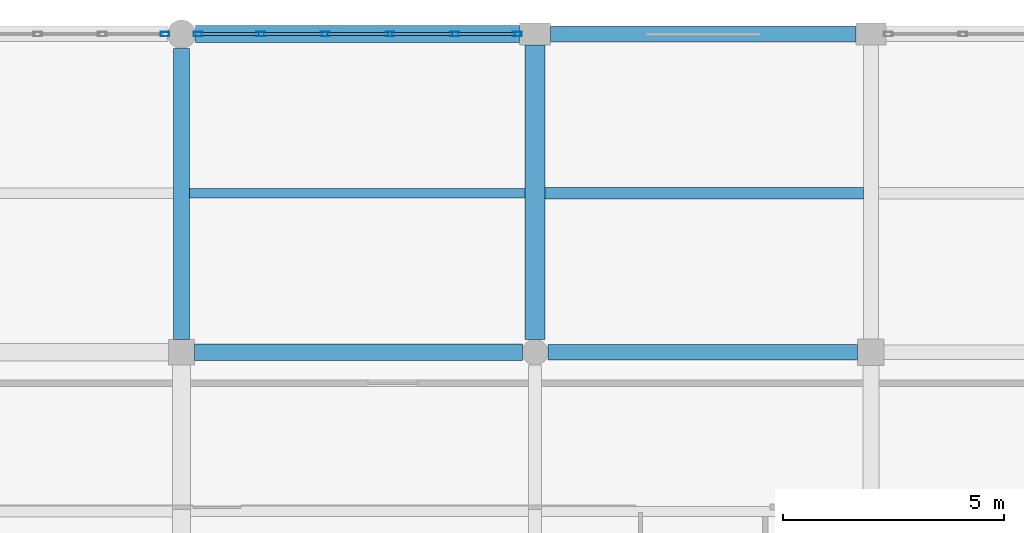
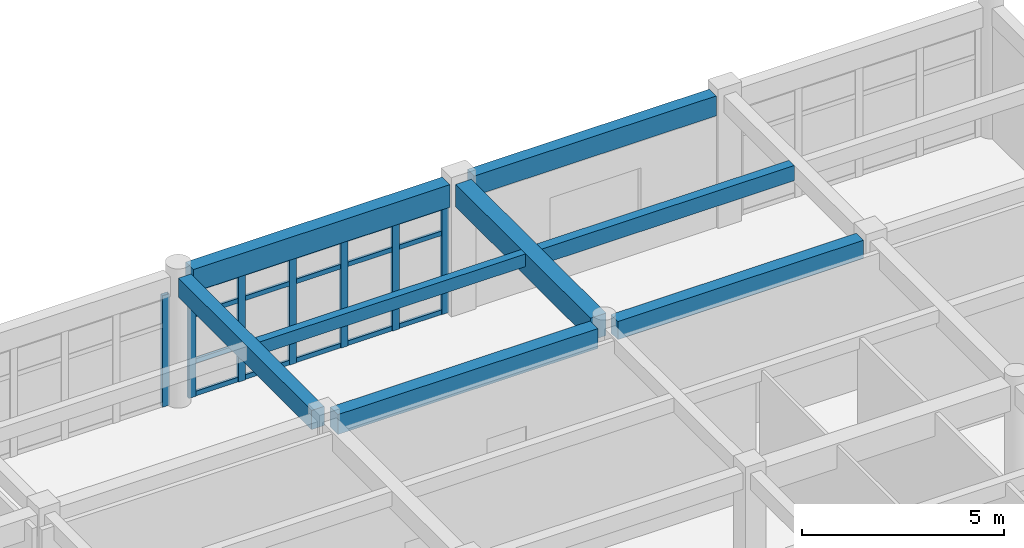
# One storey, part 88 of 121: 27 members, 8 beams, 2 elements without a shape of their own.
"""IFC4 building model written with IfcOpenShell, lengths in metres."""

import ifcopenshell
import ifcopenshell.guid

model = None  # the IFC model being written
_history = None  # IfcOwnerHistory: only IFC2X3 demands one
_inside = {}  # id of a spatial element -> (the spatial element, [elements in it])
_under = {}  # id of a project, library or spatial element -> (it, [spatial elements below it])
_declared = {}  # id of a project -> (the project, [libraries it declares])
_typed = {}  # id of a type object -> (the type object, [elements of that type])
_made_of = {}  # id of a material, layer set ... -> (it, [elements and type objects made of it])


def new_model(schema):
    """Start an empty IFC model of exactly this schema.

    Asked for "IFC4X3", IfcOpenShell would pick the latest addendum, in which some entities
    have other attributes; the version numbers below select the first issue.
    IFC2X3 requires an IfcOwnerHistory on every rooted entity: one is made here for all.
    """
    global model, _history
    if schema == "IFC4X3":
        model = ifcopenshell.file(schema_version=(4, 3, 0, 0))
    else:
        model = ifcopenshell.file(schema=schema)
    _inside.clear()
    _under.clear()
    _declared.clear()
    _typed.clear()
    _made_of.clear()
    _history = None
    if model.schema == "IFC2X3":
        org = make("IfcOrganization", Name="unknown")
        user = make(
            "IfcPersonAndOrganization",
            ThePerson=make("IfcPerson", FamilyName="unknown"),
            TheOrganization=org,
        )
        app = make(
            "IfcApplication",
            ApplicationDeveloper=org,
            Version="unknown",
            ApplicationFullName="unknown",
            ApplicationIdentifier="unknown",
        )
        _history = make(
            "IfcOwnerHistory",
            OwningUser=user,
            OwningApplication=app,
            ChangeAction="ADDED",
            CreationDate=0,
        )
    return model


def make(cls, **values):
    """One entity of the class cls with the attributes given. An attribute that is None is left unset."""
    return model.create_entity(
        cls, **{name: value for name, value in values.items() if value is not None}
    )


def rooted(cls, **values):
    """An entity with a GlobalId (a new one), such as an element, a storey or a relation."""
    return make(cls, GlobalId=ifcopenshell.guid.new(), OwnerHistory=_history, **values)


def si_unit(unit_type, name, prefix=None):
    """IfcSIUnit, for example si_unit("LENGTHUNIT", "METRE", prefix="MILLI")."""
    return make("IfcSIUnit", UnitType=unit_type, Prefix=prefix, Name=name)


def assignment(units):
    """IfcUnitAssignment: the units of a project."""
    return None if units is None else make("IfcUnitAssignment", Units=units)


def point(xyz):
    """IfcCartesianPoint."""
    return None if xyz is None else make("IfcCartesianPoint", Coordinates=xyz)


def direction(xyz):
    """IfcDirection."""
    return None if xyz is None else make("IfcDirection", DirectionRatios=xyz)


def frame(location, z_axis=None, x_axis=None):
    """IfcAxis2Placement3D, a coordinate frame: its origin and axes. An axis left out is left unset."""
    return make(
        "IfcAxis2Placement3D",
        Location=point(location),
        Axis=direction(z_axis),
        RefDirection=direction(x_axis),
    )


def frame_2d(location, x_axis=None):
    """IfcAxis2Placement2D, a coordinate frame in the plane: its origin and x axis."""
    return make(
        "IfcAxis2Placement2D", Location=point(location), RefDirection=direction(x_axis)
    )


def origin():
    """The frame at (0, 0, 0) with its axes left unset."""
    return frame((0.0, 0.0, 0.0))


def origin_2d():
    """The frame at (0, 0) in the plane with its x axis left unset."""
    return frame_2d((0.0, 0.0))


def place(relative_to, where):
    """IfcLocalPlacement: puts the frame where relative to a parent placement (None: the world)."""
    return make(
        "IfcLocalPlacement", PlacementRelTo=relative_to, RelativePlacement=where
    )


def context(
    kind, dimensions, precision=None, world=None, true_north=None, identifier=None
):
    """IfcGeometricRepresentationContext, for example the 3D "Model" context."""
    return make(
        "IfcGeometricRepresentationContext",
        ContextIdentifier=identifier,
        ContextType=kind,
        CoordinateSpaceDimension=dimensions,
        Precision=precision,
        WorldCoordinateSystem=world,
        TrueNorth=true_north,
    )


def subcontext(parent, identifier, kind, view, scale=None):
    """IfcGeometricRepresentationSubContext, for example "Body" below "Model"."""
    return make(
        "IfcGeometricRepresentationSubContext",
        ContextIdentifier=identifier,
        ContextType=kind,
        ParentContext=parent,
        TargetScale=scale,
        TargetView=view,
    )


def project(units=None, contexts=None):
    """IfcProject with its units and contexts."""
    return rooted(
        "IfcProject",
        Name="project",
        RepresentationContexts=contexts,
        UnitsInContext=assignment(units),
    )


def spatial(cls, under=None, at=None, **own):
    """A site, building, storey or space (cls), placed at a placement, below another one or the project."""
    s = rooted(cls, ObjectPlacement=at, **own)
    if under is not None:
        _under.setdefault(under.id(), (under, []))[1].append(s)
    return s


def profile(cls, at=None, kind="AREA", **sizes):
    """A parametric profile (cls). Its sizes go by their IFC names, for example OverallWidth=200.0."""
    return make(cls, ProfileType=kind, Position=at, **sizes)


def rectangle(**sizes):
    """IfcRectangleProfileDef."""
    return profile("IfcRectangleProfileDef", **sizes)


def hollow_rectangle(**sizes):
    """IfcRectangleHollowProfileDef."""
    return profile("IfcRectangleHollowProfileDef", **sizes)


def extrude(swept, where, along, depth):
    """IfcExtrudedAreaSolid: the profile swept, set in the frame where, extruded along a direction by depth."""
    return make(
        "IfcExtrudedAreaSolid",
        SweptArea=swept,
        Position=where,
        ExtrudedDirection=direction(along),
        Depth=depth,
    )


def shape(context_of_items, identifier, shape_type, items):
    """IfcShapeRepresentation: the items that make up one representation, for example the "Body"."""
    return make(
        "IfcShapeRepresentation",
        ContextOfItems=context_of_items,
        RepresentationIdentifier=identifier,
        RepresentationType=shape_type,
        Items=items,
    )


def material(Name=None, Category=None):
    """IfcMaterial."""
    return make("IfcMaterial", Name=Name, Category=Category)


def material_profile(
    of_material, cross_section, Name=None, Category=None, Priority=None
):
    """IfcMaterialProfile: a cross section and its material."""
    return make(
        "IfcMaterialProfile",
        Name=Name,
        Material=of_material,
        Profile=cross_section,
        Priority=Priority,
        Category=Category,
    )


def profile_set(profiles, Name=None, composite=None):
    """IfcMaterialProfileSet."""
    return make(
        "IfcMaterialProfileSet",
        Name=Name,
        MaterialProfiles=profiles,
        CompositeProfile=composite,
    )


def made_of(thing, what):
    """Note that an element or type object is made of a material, layer set ...; save() writes the relation."""
    if what is not None:
        _made_of.setdefault(what.id(), (what, []))[1].append(thing)
    return thing


def type_object(cls, material=None, **own):
    """A type object (cls), such as IfcWallType, which elements share."""
    return made_of(rooted(cls, **own), material)


def element(
    cls,
    number,
    at=None,
    inside=None,
    cuts=None,
    type_object=None,
    material=None,
    context=None,
    identifier="Body",
    shape_type=None,
    held_by="IfcProductDefinitionShape",
    body=None,
    shapes=None,
    **own,
):
    """One element of the class cls, such as IfcWall. Its Tag is "e" and its number.

    at: its placement. inside: the storey or other place that contains it. cuts: it is an
    opening in that element (IfcRelVoidsElement). A single representation is given by context,
    identifier, shape_type and body (its items); several are given by shapes. held_by: the class
    of the entity that holds the representations. save() writes the other relations.
    """
    e = rooted(cls, Tag="e%d" % number, ObjectPlacement=at, **own)
    if body is not None:
        shapes = [shape(context, identifier, shape_type, body)]
    if shapes is not None:
        e.Representation = make(held_by, Representations=shapes)
    if inside is not None:
        _inside.setdefault(inside.id(), (inside, []))[1].append(e)
    if cuts is not None:
        rooted(
            "IfcRelVoidsElement", RelatingBuildingElement=cuts, RelatedOpeningElement=e
        )
    if type_object is not None:
        _typed.setdefault(type_object.id(), (type_object, []))[1].append(e)
    return made_of(e, material)


def aggregate(whole, parts):
    """IfcRelAggregates: a whole, such as a stair, and the parts it consists of."""
    return rooted("IfcRelAggregates", RelatingObject=whole, RelatedObjects=parts)


def save(model, path):
    """Write the relations noted so far, then the file.

    IfcRelAggregates (storeys below a building ...), IfcRelContainedInSpatialStructure (elements
    in a storey), IfcRelDefinesByType, IfcRelAssociatesMaterial and IfcRelDeclares: one each for
    every whole, place, type object, material and project.
    """
    for whole, parts in _under.values():
        aggregate(whole, parts)
    for where, things in _inside.values():
        rooted(
            "IfcRelContainedInSpatialStructure",
            RelatedElements=things,
            RelatingStructure=where,
        )
    for kind, things in _typed.values():
        rooted("IfcRelDefinesByType", RelatedObjects=things, RelatingType=kind)
    for what, things in _made_of.values():
        rooted("IfcRelAssociatesMaterial", RelatedObjects=things, RelatingMaterial=what)
    for by, libraries in _declared.values():
        rooted("IfcRelDeclares", RelatingContext=by, RelatedDefinitions=libraries)
    model.write(path)


model = new_model("IFC4")

# Units and contexts
model_context = context("Model", 3, precision=1e-05, world=origin(), true_north=direction((0.0, 1.0)))
body_context = subcontext(model_context, "Body", "Model", "MODEL_VIEW")
ifc_project = project(units=[si_unit("LENGTHUNIT", "METRE"), si_unit("AREAUNIT", "SQUARE_METRE"), si_unit("VOLUMEUNIT", "CUBIC_METRE"), si_unit("PLANEANGLEUNIT", "RADIAN"), si_unit("MASSUNIT", "GRAM", prefix="KILO")], contexts=[model_context])

# Site, building, storey
site_placement = place(None, origin())
site = spatial("IfcSite", under=ifc_project, at=site_placement, CompositionType="ELEMENT")
building_placement = place(site_placement, origin())
building = spatial("IfcBuilding", under=site, at=building_placement, Name="Kharva Crest Polytechnic", CompositionType="ELEMENT")
storey_placement = place(building_placement, frame((0.0, 0.0, 13.199951171875)))
storey = spatial("IfcBuildingStorey", under=building, at=storey_placement, Name="L03", CompositionType="ELEMENT", Elevation=13.199951171875)

# Beams
ifc_material_1 = material(Name="Concrete C35/45", Category="concrete")
ifc_material_profile_1 = material_profile(ifc_material_1, rectangle(XDim=0.35009765625, YDim=0.550048828125, at=origin_2d()), Name="RECT 350 X 550")
ifc_profile_set_1 = profile_set([ifc_material_profile_1], Name="Concrete C35/45")
beam_type_1 = type_object("IfcBeamType", Name="BM-RC-350X550", PredefinedType="BEAM", material=ifc_profile_set_1)
beam_1_placement = place(storey_placement, frame((169.090087890625, 114.800048828125, 3.68505859375), z_axis=(1.0, 0.0, 0.0), x_axis=(0.0, 1.0, 0.0)))
element("IfcBeam", 1, at=beam_1_placement, inside=storey, type_object=beam_type_1, Name="L03 Beam R/22-23", PredefinedType="BEAM", context=body_context, shape_type="SweptSolid", body=[
    extrude(rectangle(XDim=0.35009765625, YDim=0.550048828125, at=origin_2d()), origin(), (0.0, 0.0, 1.0), 7.010009765625),
])
ifc_material_profile_2 = material_profile(ifc_material_1, rectangle(XDim=0.360107421875, YDim=0.580078125, at=origin_2d()), Name="RECT 360 X 580")
ifc_profile_set_2 = profile_set([ifc_material_profile_2], Name="Concrete C35/45")
beam_type_2 = type_object("IfcBeamType", Name="BM-RC-360X580", PredefinedType="BEAM", material=ifc_profile_set_2)
beam_2_placement = place(storey_placement, frame((160.800048828125, 115.090087890625, 3.670166015625), z_axis=(0.0, 1.0, 0.0), x_axis=(-1.0, 0.0, 0.0)))
element("IfcBeam", 2, at=beam_2_placement, inside=storey, type_object=beam_type_2, Name="L03 Girder 21/R-S", PredefinedType="BEAM", context=body_context, shape_type="SweptSolid", body=[
    extrude(rectangle(XDim=0.360107421875, YDim=0.580078125, at=origin_2d()), origin(), (0.0, 0.0, 1.0), 6.58984375),
])
ifc_material_profile_3 = material_profile(ifc_material_1, rectangle(XDim=0.3798828125, YDim=0.60009765625, at=origin_2d()), Name="RECT 380 X 600")
ifc_profile_set_3 = profile_set([ifc_material_profile_3], Name="Concrete C35/45")
beam_type_3 = type_object("IfcBeamType", Name="BM-RC-380X600", PredefinedType="BEAM", material=ifc_profile_set_3)
beam_3_placement = place(storey_placement, frame((161.090087890625, 114.800048828125, 3.66015625), z_axis=(1.0, 0.0, 0.0), x_axis=(0.0, 1.0, 0.0)))
element("IfcBeam", 3, at=beam_3_placement, inside=storey, type_object=beam_type_3, Name="L03 Beam R/21-22", PredefinedType="BEAM", context=body_context, shape_type="SweptSolid", body=[
    extrude(rectangle(XDim=0.3798828125, YDim=0.60009765625, at=origin_2d()), origin(), (0.0, 0.0, 1.0), 7.419921875),
])
ifc_material_profile_4 = material_profile(ifc_material_1, rectangle(XDim=0.449951171875, YDim=0.679931640625, at=origin_2d()), Name="RECT 450 X 680")
ifc_profile_set_4 = profile_set([ifc_material_profile_4], Name="Concrete C35/45")
beam_type_4 = type_object("IfcBeamType", Name="BM-RC-450X680", PredefinedType="BEAM", material=ifc_profile_set_4)
beam_4_placement = place(storey_placement, frame((168.800048828125, 115.090087890625, 3.6201171875), z_axis=(0.0, 1.0, 0.0), x_axis=(-1.0, 0.0, 0.0)))
element("IfcBeam", 4, at=beam_4_placement, inside=storey, type_object=beam_type_4, Name="L03 Girder 22/R-S", PredefinedType="BEAM", context=body_context, shape_type="SweptSolid", body=[
    extrude(rectangle(XDim=0.449951171875, YDim=0.679931640625, at=origin_2d()), origin(), (0.0, 0.0, 1.0), 6.659912109375),
])

# Curtain wall, members
ifc_material_2 = material(Name="Tempered insulated glass", Category="glass")
curtain_wall_type = type_object("IfcCurtainWallType", Name="CW-SYS-LIBRARY", PredefinedType="USERDEFINED", material=ifc_material_2)
curtain_wall_1_placement = place(storey_placement, origin())
curtain_wall_1 = element("IfcCurtainWall", 5, at=curtain_wall_1_placement, inside=storey, type_object=curtain_wall_type, Name="L03 Glazed Curtain Wall CW-155", ObjectType="CURTAIN WALL", PredefinedType="USERDEFINED")
ifc_material_3 = material(Name="Steel S355", Category="steel")
ifc_material_profile_5 = material_profile(ifc_material_3, hollow_rectangle(XDim=0.10009765625, YDim=0.199951171875, WallThickness=0.00634765625, at=origin_2d()), Name="RHS 200X100X6.3")
ifc_profile_set_5 = profile_set([ifc_material_profile_5], Name="Steel S355")
member_type_1 = type_object("IfcMemberType", Name="CWM-RHS200X100", PredefinedType="MULLION", material=ifc_profile_set_5)
member_1_placement = place(storey_placement, frame((168.39501953125, 122.0, 0.0), z_axis=(0.0, 0.0, 1.0), x_axis=(0.0, -1.0, 0.0)))
member_1 = element("IfcMember", 6, at=member_1_placement, type_object=member_type_1, Name="CW-155 mullion 1", PredefinedType="MULLION", context=body_context, shape_type="SweptSolid", body=[
    extrude(hollow_rectangle(XDim=0.10009765625, YDim=0.199951171875, WallThickness=0.00634765625, at=origin_2d()), origin(), (0.0, 0.0, 1.0), 3.280029296875),
])
member_2_placement = place(storey_placement, frame((166.98095703125, 122.0, 0.0), z_axis=(0.0, 0.0, 1.0), x_axis=(0.0, -1.0, 0.0)))
member_2 = element("IfcMember", 7, at=member_2_placement, type_object=member_type_1, Name="CW-155 mullion 2", PredefinedType="MULLION", context=body_context, shape_type="SweptSolid", body=[
    extrude(hollow_rectangle(XDim=0.10009765625, YDim=0.199951171875, WallThickness=0.00634765625, at=origin_2d()), origin(), (0.0, 0.0, 1.0), 3.280029296875),
])
member_3_placement = place(storey_placement, frame((165.51708984375, 122.0, 0.0), z_axis=(0.0, 0.0, 1.0), x_axis=(0.0, -1.0, 0.0)))
member_3 = element("IfcMember", 8, at=member_3_placement, type_object=member_type_1, Name="CW-155 mullion 3", PredefinedType="MULLION", context=body_context, shape_type="SweptSolid", body=[
    extrude(hollow_rectangle(XDim=0.10009765625, YDim=0.199951171875, WallThickness=0.00634765625, at=origin_2d()), origin(), (0.0, 0.0, 1.0), 3.280029296875),
])
member_4_placement = place(storey_placement, frame((164.052978515625, 122.0, 0.0), z_axis=(0.0, 0.0, 1.0), x_axis=(0.0, -1.0, 0.0)))
member_4 = element("IfcMember", 9, at=member_4_placement, type_object=member_type_1, Name="CW-155 mullion 4", PredefinedType="MULLION", context=body_context, shape_type="SweptSolid", body=[
    extrude(hollow_rectangle(XDim=0.10009765625, YDim=0.199951171875, WallThickness=0.00634765625, at=origin_2d()), origin(), (0.0, 0.0, 1.0), 3.280029296875),
])
member_5_placement = place(storey_placement, frame((162.589111328125, 122.0, 0.0), z_axis=(0.0, 0.0, 1.0), x_axis=(0.0, -1.0, 0.0)))
member_5 = element("IfcMember", 10, at=member_5_placement, type_object=member_type_1, Name="CW-155 mullion 5", PredefinedType="MULLION", context=body_context, shape_type="SweptSolid", body=[
    extrude(hollow_rectangle(XDim=0.10009765625, YDim=0.199951171875, WallThickness=0.00634765625, at=origin_2d()), origin(), (0.0, 0.0, 1.0), 3.280029296875),
])
member_6_placement = place(storey_placement, frame((161.175048828125, 122.0, 0.0), z_axis=(0.0, 0.0, 1.0), x_axis=(0.0, -1.0, 0.0)))
member_6 = element("IfcMember", 11, at=member_6_placement, type_object=member_type_1, Name="CW-155 mullion 6", PredefinedType="MULLION", context=body_context, shape_type="SweptSolid", body=[
    extrude(hollow_rectangle(XDim=0.10009765625, YDim=0.199951171875, WallThickness=0.00634765625, at=origin_2d()), origin(), (0.0, 0.0, 1.0), 3.280029296875),
])

# Curtain wall, member
curtain_wall_2_placement = place(storey_placement, origin())
curtain_wall_2 = element("IfcCurtainWall", 12, at=curtain_wall_2_placement, inside=storey, type_object=curtain_wall_type, Name="L03 Glazed Curtain Wall CW-156", ObjectType="CURTAIN WALL", PredefinedType="USERDEFINED")
member_7_placement = place(storey_placement, frame((160.425048828125, 122.0, 0.0), z_axis=(0.0, 0.0, 1.0), x_axis=(0.0, -1.0, 0.0)))
member_7 = element("IfcMember", 13, at=member_7_placement, type_object=member_type_1, Name="CW-156 mullion 1", PredefinedType="MULLION", context=body_context, shape_type="SweptSolid", body=[
    extrude(hollow_rectangle(XDim=0.10009765625, YDim=0.199951171875, WallThickness=0.00634765625, at=origin_2d()), origin(), (0.0, 0.0, 1.0), 3.360107421875),
])
aggregate(curtain_wall_2, [member_7])

# Member
ifc_material_profile_6 = material_profile(ifc_material_3, hollow_rectangle(XDim=0.070068359375, YDim=0.139892578125, WallThickness=0.00390625, at=origin_2d()), Name="RHS 140X70X4.0")
ifc_profile_set_6 = profile_set([ifc_material_profile_6], Name="Steel S355")
member_type_2 = type_object("IfcMemberType", Name="CWT-RHS140X70", PredefinedType="USERDEFINED", material=ifc_profile_set_6)
member_8_placement = place(storey_placement, frame((168.344970703125, 122.0, 0.070068359375), z_axis=(-1.0, 0.0, 0.0), x_axis=(0.0, -1.0, 0.0)))
member_8 = element("IfcMember", 14, at=member_8_placement, type_object=member_type_2, Name="CW-155 transom 1.1", ObjectType="TRANSOM", PredefinedType="USERDEFINED", context=body_context, shape_type="SweptSolid", body=[
    extrude(hollow_rectangle(XDim=0.070068359375, YDim=0.139892578125, WallThickness=0.00390625, at=origin_2d()), origin(), (0.0, 0.0, 1.0), 1.31396484375),
])

member_9_placement = place(storey_placement, frame((168.344970703125, 122.0, 1.050048828125), z_axis=(-1.0, 0.0, 0.0), x_axis=(0.0, -1.0, 0.0)))
member_9 = element("IfcMember", 15, at=member_9_placement, type_object=member_type_2, Name="CW-155 transom 1.2", ObjectType="TRANSOM", PredefinedType="USERDEFINED", context=body_context, shape_type="SweptSolid", body=[
    extrude(hollow_rectangle(XDim=0.070068359375, YDim=0.139892578125, WallThickness=0.00390625, at=origin_2d()), origin(), (0.0, 0.0, 1.0), 1.31396484375),
])

member_10_placement = place(storey_placement, frame((168.344970703125, 122.0, 2.449951171875), z_axis=(-1.0, 0.0, 0.0), x_axis=(0.0, -1.0, 0.0)))
member_10 = element("IfcMember", 16, at=member_10_placement, type_object=member_type_2, Name="CW-155 transom 1.3", ObjectType="TRANSOM", PredefinedType="USERDEFINED", context=body_context, shape_type="SweptSolid", body=[
    extrude(hollow_rectangle(XDim=0.070068359375, YDim=0.139892578125, WallThickness=0.00390625, at=origin_2d()), origin(), (0.0, 0.0, 1.0), 1.31396484375),
])

member_11_placement = place(storey_placement, frame((168.344970703125, 122.0, 3.2099609375), z_axis=(-1.0, 0.0, 0.0), x_axis=(0.0, -1.0, 0.0)))
member_11 = element("IfcMember", 17, at=member_11_placement, type_object=member_type_2, Name="CW-155 transom 1.4", ObjectType="TRANSOM", PredefinedType="USERDEFINED", context=body_context, shape_type="SweptSolid", body=[
    extrude(hollow_rectangle(XDim=0.070068359375, YDim=0.139892578125, WallThickness=0.00390625, at=origin_2d()), origin(), (0.0, 0.0, 1.0), 1.31396484375),
])

member_12_placement = place(storey_placement, frame((166.930908203125, 122.0, 0.070068359375), z_axis=(-1.0, 0.0, 0.0), x_axis=(0.0, -1.0, 0.0)))
member_12 = element("IfcMember", 18, at=member_12_placement, type_object=member_type_2, Name="CW-155 transom 2.1", ObjectType="TRANSOM", PredefinedType="USERDEFINED", context=body_context, shape_type="SweptSolid", body=[
    extrude(hollow_rectangle(XDim=0.070068359375, YDim=0.139892578125, WallThickness=0.00390625, at=origin_2d()), origin(), (0.0, 0.0, 1.0), 1.364013671875),
])

member_13_placement = place(storey_placement, frame((166.930908203125, 122.0, 1.050048828125), z_axis=(-1.0, 0.0, 0.0), x_axis=(0.0, -1.0, 0.0)))
member_13 = element("IfcMember", 19, at=member_13_placement, type_object=member_type_2, Name="CW-155 transom 2.2", ObjectType="TRANSOM", PredefinedType="USERDEFINED", context=body_context, shape_type="SweptSolid", body=[
    extrude(hollow_rectangle(XDim=0.070068359375, YDim=0.139892578125, WallThickness=0.00390625, at=origin_2d()), origin(), (0.0, 0.0, 1.0), 1.364013671875),
])

member_14_placement = place(storey_placement, frame((166.930908203125, 122.0, 2.449951171875), z_axis=(-1.0, 0.0, 0.0), x_axis=(0.0, -1.0, 0.0)))
member_14 = element("IfcMember", 20, at=member_14_placement, type_object=member_type_2, Name="CW-155 transom 2.3", ObjectType="TRANSOM", PredefinedType="USERDEFINED", context=body_context, shape_type="SweptSolid", body=[
    extrude(hollow_rectangle(XDim=0.070068359375, YDim=0.139892578125, WallThickness=0.00390625, at=origin_2d()), origin(), (0.0, 0.0, 1.0), 1.364013671875),
])

member_15_placement = place(storey_placement, frame((166.930908203125, 122.0, 3.2099609375), z_axis=(-1.0, 0.0, 0.0), x_axis=(0.0, -1.0, 0.0)))
member_15 = element("IfcMember", 21, at=member_15_placement, type_object=member_type_2, Name="CW-155 transom 2.4", ObjectType="TRANSOM", PredefinedType="USERDEFINED", context=body_context, shape_type="SweptSolid", body=[
    extrude(hollow_rectangle(XDim=0.070068359375, YDim=0.139892578125, WallThickness=0.00390625, at=origin_2d()), origin(), (0.0, 0.0, 1.0), 1.364013671875),
])

member_16_placement = place(storey_placement, frame((165.467041015625, 122.0, 0.070068359375), z_axis=(-1.0, 0.0, 0.0), x_axis=(0.0, -1.0, 0.0)))
member_16 = element("IfcMember", 22, at=member_16_placement, type_object=member_type_2, Name="CW-155 transom 3.1", ObjectType="TRANSOM", PredefinedType="USERDEFINED", context=body_context, shape_type="SweptSolid", body=[
    extrude(hollow_rectangle(XDim=0.070068359375, YDim=0.139892578125, WallThickness=0.00390625, at=origin_2d()), origin(), (0.0, 0.0, 1.0), 1.364013671875),
])

member_17_placement = place(storey_placement, frame((165.467041015625, 122.0, 1.050048828125), z_axis=(-1.0, 0.0, 0.0), x_axis=(0.0, -1.0, 0.0)))
member_17 = element("IfcMember", 23, at=member_17_placement, type_object=member_type_2, Name="CW-155 transom 3.2", ObjectType="TRANSOM", PredefinedType="USERDEFINED", context=body_context, shape_type="SweptSolid", body=[
    extrude(hollow_rectangle(XDim=0.070068359375, YDim=0.139892578125, WallThickness=0.00390625, at=origin_2d()), origin(), (0.0, 0.0, 1.0), 1.364013671875),
])

member_18_placement = place(storey_placement, frame((165.467041015625, 122.0, 2.449951171875), z_axis=(-1.0, 0.0, 0.0), x_axis=(0.0, -1.0, 0.0)))
member_18 = element("IfcMember", 24, at=member_18_placement, type_object=member_type_2, Name="CW-155 transom 3.3", ObjectType="TRANSOM", PredefinedType="USERDEFINED", context=body_context, shape_type="SweptSolid", body=[
    extrude(hollow_rectangle(XDim=0.070068359375, YDim=0.139892578125, WallThickness=0.00390625, at=origin_2d()), origin(), (0.0, 0.0, 1.0), 1.364013671875),
])

member_19_placement = place(storey_placement, frame((165.467041015625, 122.0, 3.2099609375), z_axis=(-1.0, 0.0, 0.0), x_axis=(0.0, -1.0, 0.0)))
member_19 = element("IfcMember", 25, at=member_19_placement, type_object=member_type_2, Name="CW-155 transom 3.4", ObjectType="TRANSOM", PredefinedType="USERDEFINED", context=body_context, shape_type="SweptSolid", body=[
    extrude(hollow_rectangle(XDim=0.070068359375, YDim=0.139892578125, WallThickness=0.00390625, at=origin_2d()), origin(), (0.0, 0.0, 1.0), 1.364013671875),
])

member_20_placement = place(storey_placement, frame((164.0029296875, 122.0, 0.070068359375), z_axis=(-1.0, 0.0, 0.0), x_axis=(0.0, -1.0, 0.0)))
member_20 = element("IfcMember", 26, at=member_20_placement, type_object=member_type_2, Name="CW-155 transom 4.1", ObjectType="TRANSOM", PredefinedType="USERDEFINED", context=body_context, shape_type="SweptSolid", body=[
    extrude(hollow_rectangle(XDim=0.070068359375, YDim=0.139892578125, WallThickness=0.00390625, at=origin_2d()), origin(), (0.0, 0.0, 1.0), 1.364013671875),
])

member_21_placement = place(storey_placement, frame((164.0029296875, 122.0, 1.050048828125), z_axis=(-1.0, 0.0, 0.0), x_axis=(0.0, -1.0, 0.0)))
member_21 = element("IfcMember", 27, at=member_21_placement, type_object=member_type_2, Name="CW-155 transom 4.2", ObjectType="TRANSOM", PredefinedType="USERDEFINED", context=body_context, shape_type="SweptSolid", body=[
    extrude(hollow_rectangle(XDim=0.070068359375, YDim=0.139892578125, WallThickness=0.00390625, at=origin_2d()), origin(), (0.0, 0.0, 1.0), 1.364013671875),
])

member_22_placement = place(storey_placement, frame((164.0029296875, 122.0, 2.449951171875), z_axis=(-1.0, 0.0, 0.0), x_axis=(0.0, -1.0, 0.0)))
member_22 = element("IfcMember", 28, at=member_22_placement, type_object=member_type_2, Name="CW-155 transom 4.3", ObjectType="TRANSOM", PredefinedType="USERDEFINED", context=body_context, shape_type="SweptSolid", body=[
    extrude(hollow_rectangle(XDim=0.070068359375, YDim=0.139892578125, WallThickness=0.00390625, at=origin_2d()), origin(), (0.0, 0.0, 1.0), 1.364013671875),
])

member_23_placement = place(storey_placement, frame((164.0029296875, 122.0, 3.2099609375), z_axis=(-1.0, 0.0, 0.0), x_axis=(0.0, -1.0, 0.0)))
member_23 = element("IfcMember", 29, at=member_23_placement, type_object=member_type_2, Name="CW-155 transom 4.4", ObjectType="TRANSOM", PredefinedType="USERDEFINED", context=body_context, shape_type="SweptSolid", body=[
    extrude(hollow_rectangle(XDim=0.070068359375, YDim=0.139892578125, WallThickness=0.00390625, at=origin_2d()), origin(), (0.0, 0.0, 1.0), 1.364013671875),
])

member_24_placement = place(storey_placement, frame((162.5390625, 122.0, 0.070068359375), z_axis=(-1.0, 0.0, 0.0), x_axis=(0.0, -1.0, 0.0)))
member_24 = element("IfcMember", 30, at=member_24_placement, type_object=member_type_2, Name="CW-155 transom 5.1", ObjectType="TRANSOM", PredefinedType="USERDEFINED", context=body_context, shape_type="SweptSolid", body=[
    extrude(hollow_rectangle(XDim=0.070068359375, YDim=0.139892578125, WallThickness=0.00390625, at=origin_2d()), origin(), (0.0, 0.0, 1.0), 1.31396484375),
])

member_25_placement = place(storey_placement, frame((162.5390625, 122.0, 1.050048828125), z_axis=(-1.0, 0.0, 0.0), x_axis=(0.0, -1.0, 0.0)))
member_25 = element("IfcMember", 31, at=member_25_placement, type_object=member_type_2, Name="CW-155 transom 5.2", ObjectType="TRANSOM", PredefinedType="USERDEFINED", context=body_context, shape_type="SweptSolid", body=[
    extrude(hollow_rectangle(XDim=0.070068359375, YDim=0.139892578125, WallThickness=0.00390625, at=origin_2d()), origin(), (0.0, 0.0, 1.0), 1.31396484375),
])

member_26_placement = place(storey_placement, frame((162.5390625, 122.0, 2.449951171875), z_axis=(-1.0, 0.0, 0.0), x_axis=(0.0, -1.0, 0.0)))
member_26 = element("IfcMember", 32, at=member_26_placement, type_object=member_type_2, Name="CW-155 transom 5.3", ObjectType="TRANSOM", PredefinedType="USERDEFINED", context=body_context, shape_type="SweptSolid", body=[
    extrude(hollow_rectangle(XDim=0.070068359375, YDim=0.139892578125, WallThickness=0.00390625, at=origin_2d()), origin(), (0.0, 0.0, 1.0), 1.31396484375),
])

member_27_placement = place(storey_placement, frame((162.5390625, 122.0, 3.2099609375), z_axis=(-1.0, 0.0, 0.0), x_axis=(0.0, -1.0, 0.0)))
member_27 = element("IfcMember", 33, at=member_27_placement, type_object=member_type_2, Name="CW-155 transom 5.4", ObjectType="TRANSOM", PredefinedType="USERDEFINED", context=body_context, shape_type="SweptSolid", body=[
    extrude(hollow_rectangle(XDim=0.070068359375, YDim=0.139892578125, WallThickness=0.00390625, at=origin_2d()), origin(), (0.0, 0.0, 1.0), 1.31396484375),
])

aggregate(curtain_wall_1, [member_1, member_2, member_3, member_4, member_5, member_6, member_8, member_9, member_10, member_11, member_12, member_13, member_14, member_15, member_16, member_17, member_18, member_19, member_20, member_21, member_22, member_23, member_24, member_25, member_26, member_27])

# Beams
ifc_material_profile_7 = material_profile(ifc_material_1, rectangle(XDim=0.219970703125, YDim=0.3798828125, at=origin_2d()), Name="RECT 220 X 380")
ifc_profile_set_7 = profile_set([ifc_material_profile_7], Name="Concrete C35/45")
beam_type_5 = type_object("IfcBeamType", Name="JS-RC-220X380", PredefinedType="JOIST", material=ifc_profile_set_7)
beam_5_placement = place(storey_placement, frame((160.97998046875, 118.39990234375, 3.77001953125), z_axis=(1.0, 0.0, 0.0), x_axis=(0.0, 1.0, 0.0)))
element("IfcBeam", 34, at=beam_5_placement, inside=storey, type_object=beam_type_5, Name="L03 Floor Joist 59", PredefinedType="JOIST", context=body_context, shape_type="SweptSolid", body=[
    extrude(rectangle(XDim=0.219970703125, YDim=0.3798828125, at=origin_2d()), origin(), (0.0, 0.0, 1.0), 7.594970703125),
])
ifc_material_profile_8 = material_profile(ifc_material_1, rectangle(XDim=0.260009765625, YDim=0.4599609375, at=origin_2d()), Name="RECT 260 X 460")
ifc_profile_set_8 = profile_set([ifc_material_profile_8], Name="Concrete C35/45")
beam_type_6 = type_object("IfcBeamType", Name="JS-RC-260X460", PredefinedType="JOIST", material=ifc_profile_set_8)
beam_6_placement = place(storey_placement, frame((169.02490234375, 118.39990234375, 3.72998046875), z_axis=(1.0, 0.0, 0.0), x_axis=(0.0, 1.0, 0.0)))
element("IfcBeam", 35, at=beam_6_placement, inside=storey, type_object=beam_type_6, Name="L03 Floor Joist 60", PredefinedType="JOIST", context=body_context, shape_type="SweptSolid", body=[
    extrude(rectangle(XDim=0.260009765625, YDim=0.4599609375, at=origin_2d()), origin(), (0.0, 0.0, 1.0), 7.205078125),
])
ifc_material_profile_9 = material_profile(ifc_material_1, rectangle(XDim=0.340087890625, YDim=0.60009765625, at=origin_2d()), Name="RECT 340 X 600")
ifc_profile_set_9 = profile_set([ifc_material_profile_9], Name="Concrete C35/45")
beam_type_7 = type_object("IfcBeamType", Name="SP-RC-340X600", PredefinedType="SPANDREL", material=ifc_profile_set_9)
beam_7_placement = place(storey_placement, frame((169.14990234375, 122.0, 3.66015625), z_axis=(1.0, 0.0, 0.0), x_axis=(0.0, 1.0, 0.0)))
element("IfcBeam", 36, at=beam_7_placement, inside=storey, type_object=beam_type_7, Name="L03 Beam S/22-23", PredefinedType="SPANDREL", context=body_context, shape_type="SweptSolid", body=[
    extrude(rectangle(XDim=0.340087890625, YDim=0.60009765625, at=origin_2d()), origin(), (0.0, 0.0, 1.0), 6.91015625),
])
ifc_material_profile_10 = material_profile(ifc_material_1, rectangle(XDim=0.3798828125, YDim=0.679931640625, at=origin_2d()), Name="RECT 380 X 680")
ifc_profile_set_10 = profile_set([ifc_material_profile_10], Name="Concrete C35/45")
beam_type_8 = type_object("IfcBeamType", Name="SP-RC-380X680", PredefinedType="SPANDREL", material=ifc_profile_set_10)
beam_8_placement = place(storey_placement, frame((161.1201171875, 122.0, 3.6201171875), z_axis=(1.0, 0.0, 0.0), x_axis=(0.0, 1.0, 0.0)))
element("IfcBeam", 37, at=beam_8_placement, inside=storey, type_object=beam_type_8, Name="L03 Beam S/21-22", PredefinedType="SPANDREL", context=body_context, shape_type="SweptSolid", body=[
    extrude(rectangle(XDim=0.3798828125, YDim=0.679931640625, at=origin_2d()), origin(), (0.0, 0.0, 1.0), 7.329833984375),
])

save(model, "model.ifc")
